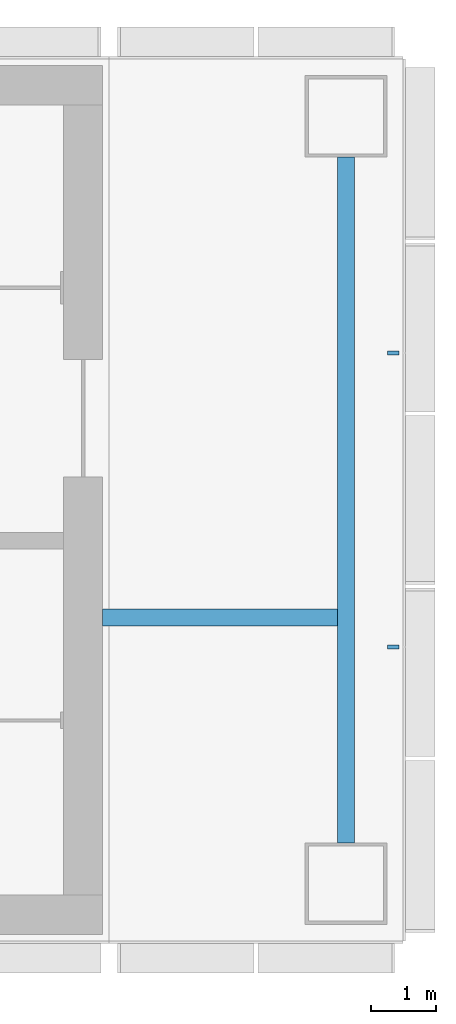
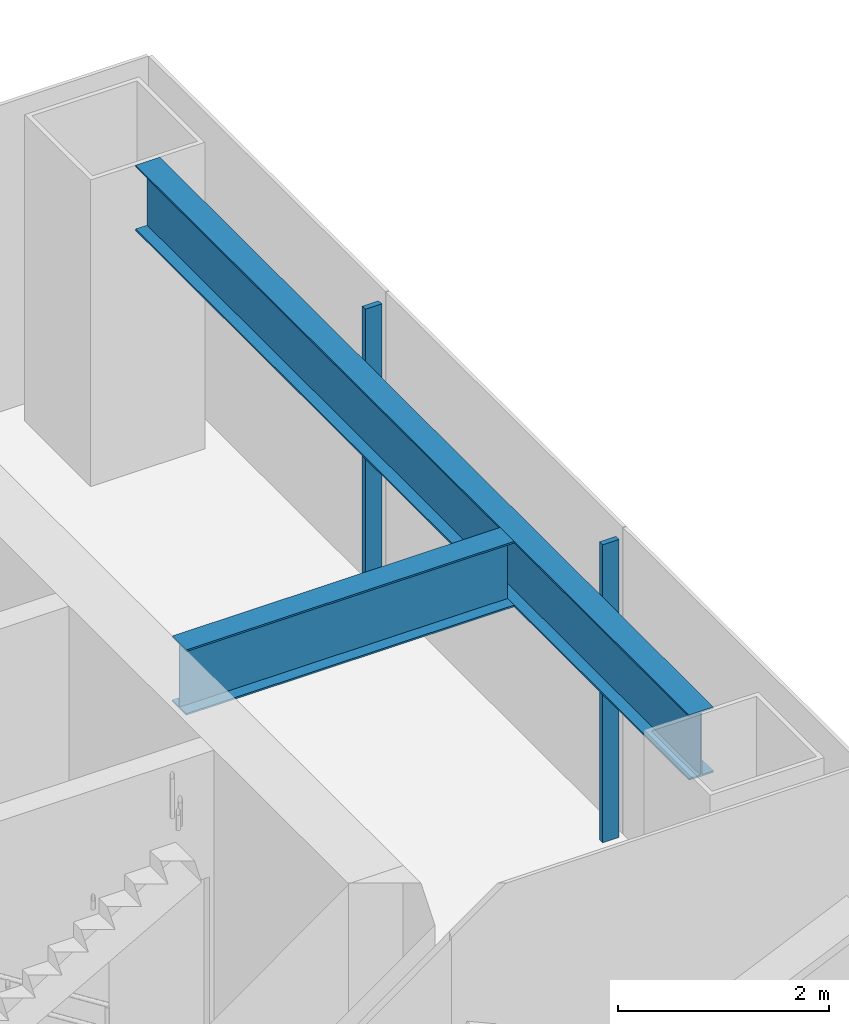
# One storey, part 7 of 20: 2 beams, 2 members, 1 element without a shape of its own.
"""IFC4 building model written with IfcOpenShell, lengths in metres."""

from ifc_helpers import new_model, si_unit, direction, frame, origin, origin_2d, place, context, subcontext, project, spatial, rectangle, i_section, extrude, material, layer, layer_set, material_profile, profile_set, type_object, element, aggregate, save


model = new_model("IFC4")

# Units and contexts
model_context = context("Model", 3, precision=1e-05, world=origin(), true_north=direction((0.0, 1.0)))
body_context = subcontext(model_context, "Body", "Model", "MODEL_VIEW")
ifc_project = project(units=[si_unit("LENGTHUNIT", "METRE"), si_unit("AREAUNIT", "SQUARE_METRE"), si_unit("VOLUMEUNIT", "CUBIC_METRE"), si_unit("PLANEANGLEUNIT", "RADIAN"), si_unit("MASSUNIT", "GRAM", prefix="KILO")], contexts=[model_context])

# Site, building, storey
site_placement = place(None, origin())
site = spatial("IfcSite", under=ifc_project, at=site_placement, CompositionType="ELEMENT")
building_placement = place(site_placement, origin())
building = spatial("IfcBuilding", under=site, at=building_placement, Name="Shamsa Quay Exchange Towers", CompositionType="ELEMENT")
storey_placement = place(building_placement, frame((0.0, 0.0, 101.39990234375)))
storey = spatial("IfcBuildingStorey", under=building, at=storey_placement, Name="L23", CompositionType="ELEMENT", Elevation=101.39990234375)

# Curtain wall, members
ifc_material_1 = material(Name="Aluminium EN AW-6063 T6, black anodised", Category="aluminium")
ifc_layer = layer(ifc_material_1, 0.280029296875)
ifc_layer_set = layer_set([ifc_layer], Name="CW-1 UNITISED VISION GLASS")
curtain_wall_type = type_object("IfcCurtainWallType", Name="CW-1 UNITISED VISION GLASS", PredefinedType="NOTDEFINED", material=ifc_layer_set)
curtain_wall_placement = place(storey_placement, origin())
curtain_wall = element("IfcCurtainWall", 1, at=curtain_wall_placement, inside=storey, type_object=curtain_wall_type, Name="CW1 T2-END-V- L23", PredefinedType="NOTDEFINED")
ifc_material_profile_1 = material_profile(ifc_material_1, rectangle(XDim=0.179931640625, YDim=0.06005859375, at=origin_2d()), Name="MU60x180")
ifc_profile_set_1 = profile_set([ifc_material_profile_1], Name="Aluminium EN AW-6063 T6, black anodised")
member_type = type_object("IfcMemberType", Name="CW1 MULLION 60x180", PredefinedType="MULLION", material=ifc_profile_set_1)
member_1_placement = place(storey_placement, frame((58.35009765625, -2.25, 0.0), z_axis=(0.0, 0.0, 1.0), x_axis=(-1.0, 0.0, 0.0)))
member_1 = element("IfcMember", 2, at=member_1_placement, type_object=member_type, Name="CW1 mullion", PredefinedType="MULLION", context=body_context, shape_type="SweptSolid", body=[
    extrude(rectangle(XDim=0.179931640625, YDim=0.06005859375, at=origin_2d()), origin(), (0.0, 0.0, 1.0), 3.4501953125),
])
member_2_placement = place(storey_placement, frame((58.35009765625, 2.25, 0.0), z_axis=(0.0, 0.0, 1.0), x_axis=(-1.0, 0.0, 0.0)))
member_2 = element("IfcMember", 3, at=member_2_placement, type_object=member_type, Name="CW1 mullion", PredefinedType="MULLION", context=body_context, shape_type="SweptSolid", body=[
    extrude(rectangle(XDim=0.179931640625, YDim=0.06005859375, at=origin_2d()), origin(), (0.0, 0.0, 1.0), 3.4501953125),
])
aggregate(curtain_wall, [member_1, member_2])

# Beams
ifc_material_2 = material(Name="Steel S355", Category="steel")
ifc_material_profile_2 = material_profile(ifc_material_2, i_section(OverallWidth=0.26611328125, OverallDepth=0.7578125, WebThickness=0.013916015625, FlangeThickness=0.019287109375, at=origin_2d()), Name="W30x108")
ifc_profile_set_2 = profile_set([ifc_material_profile_2], Name="Steel S355")
beam_type = type_object("IfcBeamType", Name="End-zone beam W30x108", PredefinedType="BEAM", material=ifc_profile_set_2)
beam_1_placement = place(storey_placement, frame((57.625, -5.25, 3.171142578125), z_axis=(0.0, 1.0, 0.0), x_axis=(-1.0, 0.0, 0.0)))
element("IfcBeam", 4, at=beam_1_placement, inside=storey, type_object=beam_type, Name="End beam T2 V- end zone L23", PredefinedType="BEAM", context=body_context, shape_type="SweptSolid", body=[
    extrude(i_section(OverallWidth=0.26611328125, OverallDepth=0.7578125, WebThickness=0.013916015625, FlangeThickness=0.019287109375, at=origin_2d()), origin(), (0.0, 0.0, 1.0), 10.5),
])
beam_2_placement = place(storey_placement, frame((53.89990234375, -1.800048828125, 3.171142578125), z_axis=(1.0, 0.0, 0.0), x_axis=(0.0, 1.0, 0.0)))
element("IfcBeam", 5, at=beam_2_placement, inside=storey, type_object=beam_type, Name="Spine beam T2 V- end zone L23", PredefinedType="BEAM", context=body_context, shape_type="SweptSolid", body=[
    extrude(i_section(OverallWidth=0.26611328125, OverallDepth=0.7578125, WebThickness=0.013916015625, FlangeThickness=0.019287109375, at=origin_2d()), origin(), (0.0, 0.0, 1.0), 3.592041015625),
])

save(model, "model.ifc")
